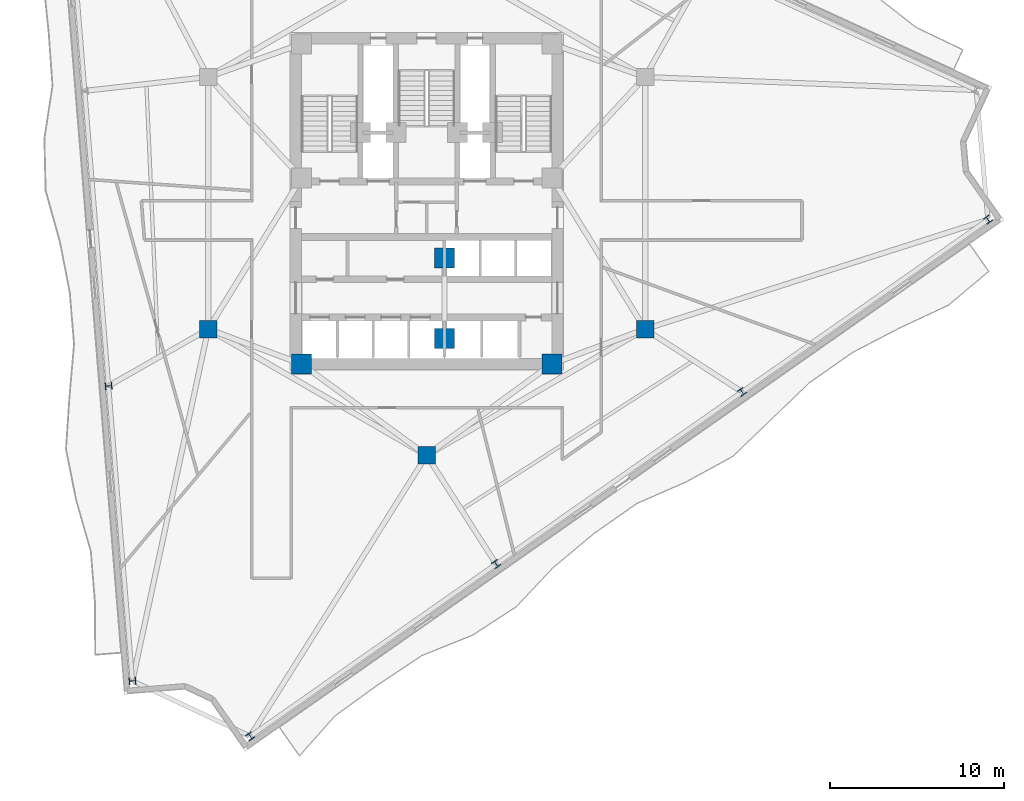
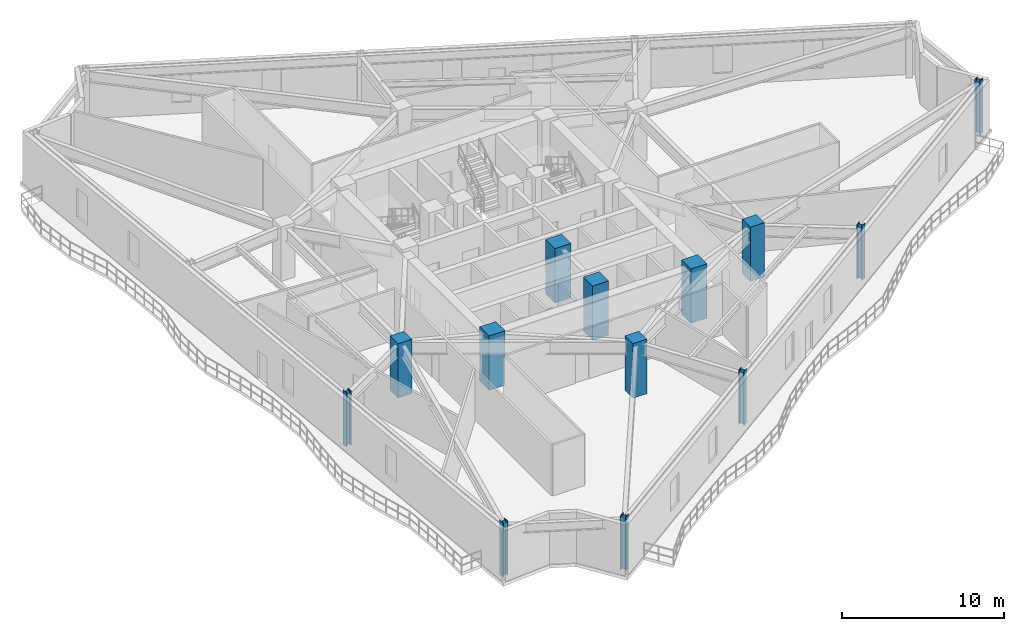
# One storey, part 1 of 11: 13 columns.
"""IFC4 building model written with IfcOpenShell, lengths in metres."""

from ifc_helpers import new_model, si_unit, direction, frame, origin, origin_2d, place, context, subcontext, project, spatial, rectangle, i_section, extrude, material, material_profile, profile_set, type_object, element, save


model = new_model("IFC4")

# Units and contexts
model_context = context("Model", 3, precision=1e-05, world=origin(), true_north=direction((0.0, 1.0)))
body_context = subcontext(model_context, "Body", "Model", "MODEL_VIEW")
ifc_project = project(units=[si_unit("LENGTHUNIT", "METRE"), si_unit("AREAUNIT", "SQUARE_METRE"), si_unit("VOLUMEUNIT", "CUBIC_METRE"), si_unit("PLANEANGLEUNIT", "RADIAN"), si_unit("MASSUNIT", "GRAM", prefix="KILO")], contexts=[model_context])

# Site, building, storey
site_placement = place(None, origin())
site = spatial("IfcSite", under=ifc_project, at=site_placement, CompositionType="ELEMENT")
building_placement = place(site_placement, origin())
building = spatial("IfcBuilding", under=site, at=building_placement, Name="Apsidion Concourse Tower", CompositionType="ELEMENT")
storey_placement = place(building_placement, frame((0.0, 0.0, 206.5)))
storey = spatial("IfcBuildingStorey", under=building, at=storey_placement, Name="L48", CompositionType="ELEMENT", Elevation=206.5)

# Columns
ifc_material_1 = material(Name="Concrete C50/60", Category="concrete")
ifc_material_profile_1 = material_profile(ifc_material_1, rectangle(XDim=1.0, YDim=1.0, at=origin_2d()), Name="RC 1000x1000")
ifc_profile_set_1 = profile_set([ifc_material_profile_1], Name="Concrete C50/60")
column_type_1 = type_object("IfcColumnType", Name="COL-RC-1000", PredefinedType="COLUMN", material=ifc_profile_set_1)
for number, where, z_axis, x_axis, name in (
    (1, (-12.56005859375, -7.25, 0.0), (0.0, 0.0, 1.0), (1.0, 0.0, 0.0), "L48 Interior Spine Column IC1"),
    (2, (12.56005859375, -7.25, 0.0), (0.0, 0.0, 1.0), (1.0, 0.0, 0.0), "L48 Interior Spine Column IC2"),
    (3, (0.0, -14.5, 0.0), (0.0, 0.0, 1.0), (1.0, 0.0, 0.0), "L48 Interior Spine Column IC6"),
):
    element("IfcColumn", number, at=place(storey_placement, frame(where, z_axis=z_axis, x_axis=x_axis)), inside=storey, type_object=column_type_1, Name=name, PredefinedType="COLUMN", context=body_context, shape_type="SweptSolid", body=[
        extrude(rectangle(XDim=1.0, YDim=1.0, at=origin_2d()), origin(), (0.0, 0.0, 1.0), 4.10009765625),
    ])
ifc_material_profile_2 = material_profile(ifc_material_1, rectangle(XDim=1.14990234375, YDim=1.14990234375, at=origin_2d()), Name="RC 1150x1150")
ifc_profile_set_2 = profile_set([ifc_material_profile_2], Name="Concrete C50/60")
column_type_2 = type_object("IfcColumnType", Name="COL-RC-1150", PredefinedType="COLUMN", material=ifc_profile_set_2)
for number, where, z_axis, x_axis, name in (
    (4, (-7.199951171875, -9.25, 0.0), (0.0, 0.0, 1.0), (1.0, 0.0, 0.0), "L48 Core Super-Column SC1"),
    (5, (7.199951171875, -9.25, 0.0), (0.0, 0.0, 1.0), (1.0, 0.0, 0.0), "L48 Core Super-Column SC2"),
    (6, (1.02490234375, -3.14990234375, 0.0), (0.0, 0.0, 1.0), (1.0, 0.0, 0.0), "L48 Core Super-Column CC5"),
    (7, (1.02490234375, -7.800048828125, 0.0), (0.0, 0.0, 1.0), (1.0, 0.0, 0.0), "L48 Core Super-Column CC6"),
):
    element("IfcColumn", number, at=place(storey_placement, frame(where, z_axis=z_axis, x_axis=x_axis)), inside=storey, type_object=column_type_2, Name=name, PredefinedType="COLUMN", context=body_context, shape_type="SweptSolid", body=[
        extrude(rectangle(XDim=1.14990234375, YDim=1.14990234375, at=origin_2d()), origin(), (0.0, 0.0, 1.0), 4.10009765625),
    ])
ifc_material_2 = material(Name="Structural steel ASTM A992 Grade 50", Category="steel")
ifc_material_profile_3 = material_profile(ifc_material_2, i_section(OverallWidth=0.39892578125, OverallDepth=0.385986328125, WebThickness=0.02099609375, FlangeThickness=0.033203125, at=origin_2d()), Name="W14X176")
ifc_profile_set_3 = profile_set([ifc_material_profile_3], Name="Structural steel ASTM A992 Grade 50")
column_type_3 = type_object("IfcColumnType", Name="COL-W14-176", PredefinedType="COLUMN", material=ifc_profile_set_3)
for number, where, z_axis, x_axis, name in (
    (8, (-18.28955078125, -10.510498046875, 0.0), (0.0, 0.0, 1.0), (-0.080720825512, 0.996736749763, 0.0), "L48 Rotated Perimeter Column PC03"),
    (9, (-16.915283203125, -27.47216796875, 0.0), (0.0, 0.0, 1.0), (-0.080720825512, 0.996736749763, 0.0), "L48 Rotated Perimeter Column PC04"),
    (10, (-10.14404296875, -30.65625, 0.0), (0.0, 0.0, 1.0), (0.819152044289, 0.573576436351, 0.0), "L48 Rotated Perimeter Column PC05"),
    (11, (3.996337890625, -20.755126953125, 0.0), (0.0, 0.0, 1.0), (0.819152044289, 0.573576436351, 0.0), "L48 Rotated Perimeter Column PC06"),
    (12, (18.13671875, -10.85400390625, 0.0), (0.0, 0.0, 1.0), (0.819152044289, 0.573576436351, 0.0), "L48 Rotated Perimeter Column PC07"),
    (13, (32.27685546875, -0.952880859375, 0.0), (0.0, 0.0, 1.0), (0.819152044289, 0.573576436351, 0.0), "L48 Rotated Perimeter Column PC08"),
):
    element("IfcColumn", number, at=place(storey_placement, frame(where, z_axis=z_axis, x_axis=x_axis)), inside=storey, type_object=column_type_3, Name=name, PredefinedType="COLUMN", context=body_context, shape_type="SweptSolid", body=[
        extrude(i_section(OverallWidth=0.39892578125, OverallDepth=0.385986328125, WebThickness=0.02099609375, FlangeThickness=0.033203125, at=origin_2d()), origin(), (0.0, 0.0, 1.0), 4.10009765625),
    ])

save(model, "model.ifc")
